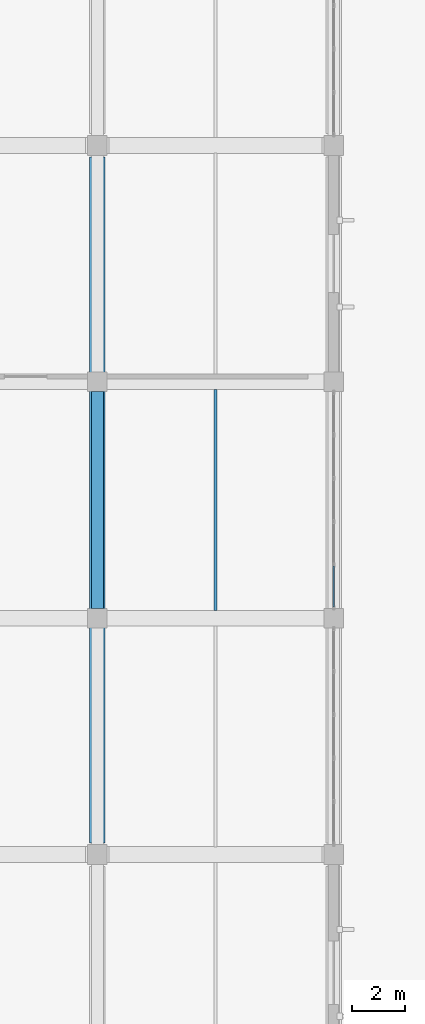
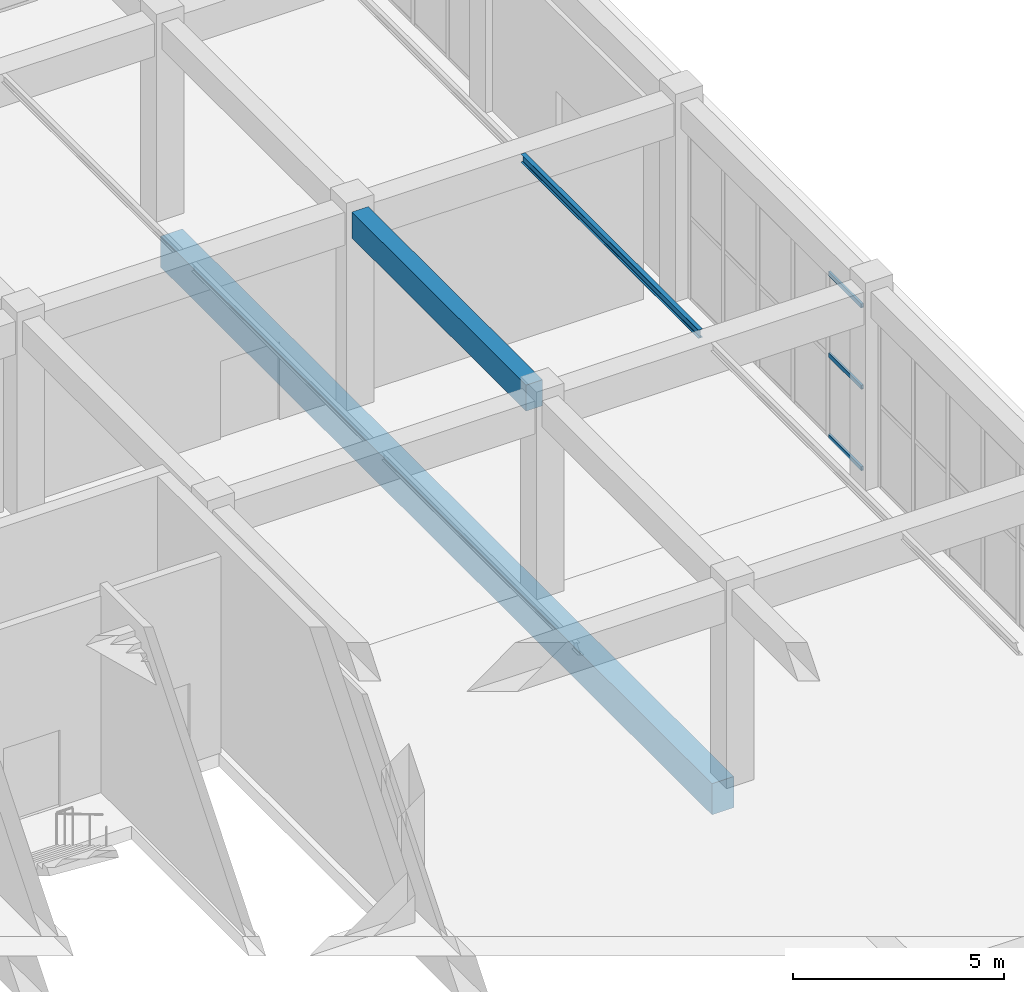
# One storey, part 19 of 91: 3 beams, 3 members, 1 element without a shape of its own.
"""IFC4 building model written with IfcOpenShell, lengths in metres."""

from ifc_helpers import new_model, si_unit, direction, frame, origin, origin_2d, place, context, subcontext, project, spatial, rectangle, hollow_rectangle, i_section, extrude, material, layer, layer_set, material_profile, profile_set, type_object, element, aggregate, save


model = new_model("IFC4")

# Units and contexts
model_context = context("Model", 3, precision=1e-05, world=origin(), true_north=direction((0.0, 1.0)))
body_context = subcontext(model_context, "Body", "Model", "MODEL_VIEW")
ifc_project = project(units=[si_unit("LENGTHUNIT", "METRE"), si_unit("AREAUNIT", "SQUARE_METRE"), si_unit("VOLUMEUNIT", "CUBIC_METRE"), si_unit("PLANEANGLEUNIT", "RADIAN"), si_unit("MASSUNIT", "GRAM", prefix="KILO")], contexts=[model_context])

# Site, building, storey
site_placement = place(None, origin())
site = spatial("IfcSite", under=ifc_project, at=site_placement, CompositionType="ELEMENT")
building_placement = place(site_placement, origin())
building = spatial("IfcBuilding", under=site, at=building_placement, Name="Dornveld Trade and Exhibition Forum", CompositionType="ELEMENT")
storey_placement = place(building_placement, origin())
storey = spatial("IfcBuildingStorey", under=building, at=storey_placement, Name="L00", CompositionType="ELEMENT", Elevation=0.0)

# Beams
ifc_material_1 = material(Name="Concrete C40/50", Category="concrete")
ifc_material_profile_1 = material_profile(ifc_material_1, rectangle(XDim=0.60009765625, YDim=0.89990234375, at=origin_2d()), Name="RC-GB 600x900")
ifc_profile_set_1 = profile_set([ifc_material_profile_1], Name="Concrete C40/50")
beam_type_1 = type_object("IfcBeamType", Name="BM-GB-600x900", PredefinedType="BEAM", material=ifc_profile_set_1)
beam_1_placement = place(storey_placement, frame((225.0, 18.446044921875, -0.830078125), z_axis=(0.0, 1.0, 0.0), x_axis=(-1.0, 0.0, 0.0)))
element("IfcBeam", 1, at=beam_1_placement, inside=storey, type_object=beam_type_1, Name="L00 Y-girder 645", PredefinedType="BEAM", context=body_context, shape_type="SweptSolid", body=[
    extrude(rectangle(XDim=0.60009765625, YDim=0.89990234375, at=origin_2d()), origin(), (0.0, 0.0, 1.0), 26.10791015625),
])
ifc_material_2 = material(Name="Steel S355J2", Category="steel")
ifc_material_profile_2 = material_profile(ifc_material_2, i_section(OverallWidth=0.1201171875, OverallDepth=0.239990234375, WebThickness=0.006103515625, FlangeThickness=0.009765625, FilletRadius=0.014892578125, at=origin_2d()), Name="IPE 240")
ifc_profile_set_2 = profile_set([ifc_material_profile_2], Name="Steel S355J2")
beam_type_2 = type_object("IfcBeamType", Name="BM-JOIST-240", PredefinedType="JOIST", material=ifc_profile_set_2)
beam_2_placement = place(storey_placement, frame((229.5, 27.297119140625, 5.580078125), z_axis=(0.0, 1.0, 0.0), x_axis=(-1.0, 0.0, 0.0)))
element("IfcBeam", 2, at=beam_2_placement, inside=storey, type_object=beam_type_2, Name="L00 secondary joist 952", PredefinedType="JOIST", context=body_context, shape_type="SweptSolid", body=[
    extrude(i_section(OverallWidth=0.1201171875, OverallDepth=0.239990234375, WebThickness=0.006103515625, FlangeThickness=0.009765625, FilletRadius=0.014892578125, at=origin_2d()), origin(), (0.0, 0.0, 1.0), 8.40576171875),
])
ifc_material_3 = material(Name="Precast concrete C50/60", Category="concrete")
ifc_material_profile_3 = material_profile(ifc_material_3, rectangle(XDim=0.449951171875, YDim=0.75, at=origin_2d()), Name="PC-BM 450x750")
ifc_profile_set_3 = profile_set([ifc_material_profile_3], Name="Precast concrete C50/60")
beam_type_3 = type_object("IfcBeamType", Name="BM-PC-450x750", PredefinedType="BEAM", material=ifc_profile_set_3)
beam_3_placement = place(storey_placement, frame((225.0, 27.37109375, 5.324951171875), z_axis=(0.0, 1.0, 0.0), x_axis=(-1.0, 0.0, 0.0)))
element("IfcBeam", 3, at=beam_3_placement, inside=storey, type_object=beam_type_3, Name="L00 Y-girder 925", PredefinedType="BEAM", context=body_context, shape_type="SweptSolid", body=[
    extrude(rectangle(XDim=0.449951171875, YDim=0.75, at=origin_2d()), origin(), (0.0, 0.0, 1.0), 8.2578125),
])

# Curtain wall, members
ifc_material_4 = material(Name="Dark-bronze anodised aluminium and low-E glass", Category="aluminium")
ifc_layer = layer(ifc_material_4, 0.18408203125)
ifc_layer_set = layer_set([ifc_layer], Name="Dark-bronze anodised aluminium and low-E glass")
curtain_wall_type = type_object("IfcCurtainWallType", Name="CW-SYS-14", PredefinedType="USERDEFINED", material=ifc_layer_set)
curtain_wall_placement = place(storey_placement, origin())
curtain_wall = element("IfcCurtainWall", 4, at=curtain_wall_placement, inside=storey, type_object=curtain_wall_type, Name="L00 unitised curtain wall 68", ObjectType="UNITISED_CURTAIN_WALL", PredefinedType="USERDEFINED")
ifc_material_5 = material(Name="Dark-bronze anodised aluminium", Category="aluminium")
ifc_material_profile_4 = material_profile(ifc_material_5, hollow_rectangle(XDim=0.06005859375, YDim=0.1201171875, WallThickness=0.00390625, at=origin_2d()), Name="RHS 120x60x4")
ifc_profile_set_4 = profile_set([ifc_material_profile_4], Name="Dark-bronze anodised aluminium")
member_type = type_object("IfcMemberType", Name="CW-TRN-120", PredefinedType="USERDEFINED", material=ifc_profile_set_4)
member_1_placement = place(storey_placement, frame((234.0, 27.430908203125, 0.02587890625), z_axis=(0.0, 1.0, 0.0), x_axis=(-1.0, 0.0, 0.0)))
member_1 = element("IfcMember", 5, at=member_1_placement, type_object=member_type, Name="CW-14 transom 1.1", ObjectType="TRANSOM", PredefinedType="USERDEFINED", context=body_context, shape_type="SweptSolid", body=[
    extrude(hollow_rectangle(XDim=0.06005859375, YDim=0.1201171875, WallThickness=0.00390625, at=origin_2d()), origin(), (0.0, 0.0, 1.0), 1.561767578125),
])
member_2_placement = place(storey_placement, frame((234.0, 27.430908203125, 2.3779296875), z_axis=(0.0, 1.0, 0.0), x_axis=(-1.0, 0.0, 0.0)))
member_2 = element("IfcMember", 6, at=member_2_placement, type_object=member_type, Name="CW-14 transom 1.2", ObjectType="TRANSOM", PredefinedType="USERDEFINED", context=body_context, shape_type="SweptSolid", body=[
    extrude(hollow_rectangle(XDim=0.06005859375, YDim=0.1201171875, WallThickness=0.00390625, at=origin_2d()), origin(), (0.0, 0.0, 1.0), 1.561767578125),
])
member_3_placement = place(storey_placement, frame((234.0, 27.430908203125, 4.72998046875), z_axis=(0.0, 1.0, 0.0), x_axis=(-1.0, 0.0, 0.0)))
member_3 = element("IfcMember", 7, at=member_3_placement, type_object=member_type, Name="CW-14 transom 1.3", ObjectType="TRANSOM", PredefinedType="USERDEFINED", context=body_context, shape_type="SweptSolid", body=[
    extrude(hollow_rectangle(XDim=0.06005859375, YDim=0.1201171875, WallThickness=0.00390625, at=origin_2d()), origin(), (0.0, 0.0, 1.0), 1.561767578125),
])
aggregate(curtain_wall, [member_1, member_2, member_3])

save(model, "model.ifc")
